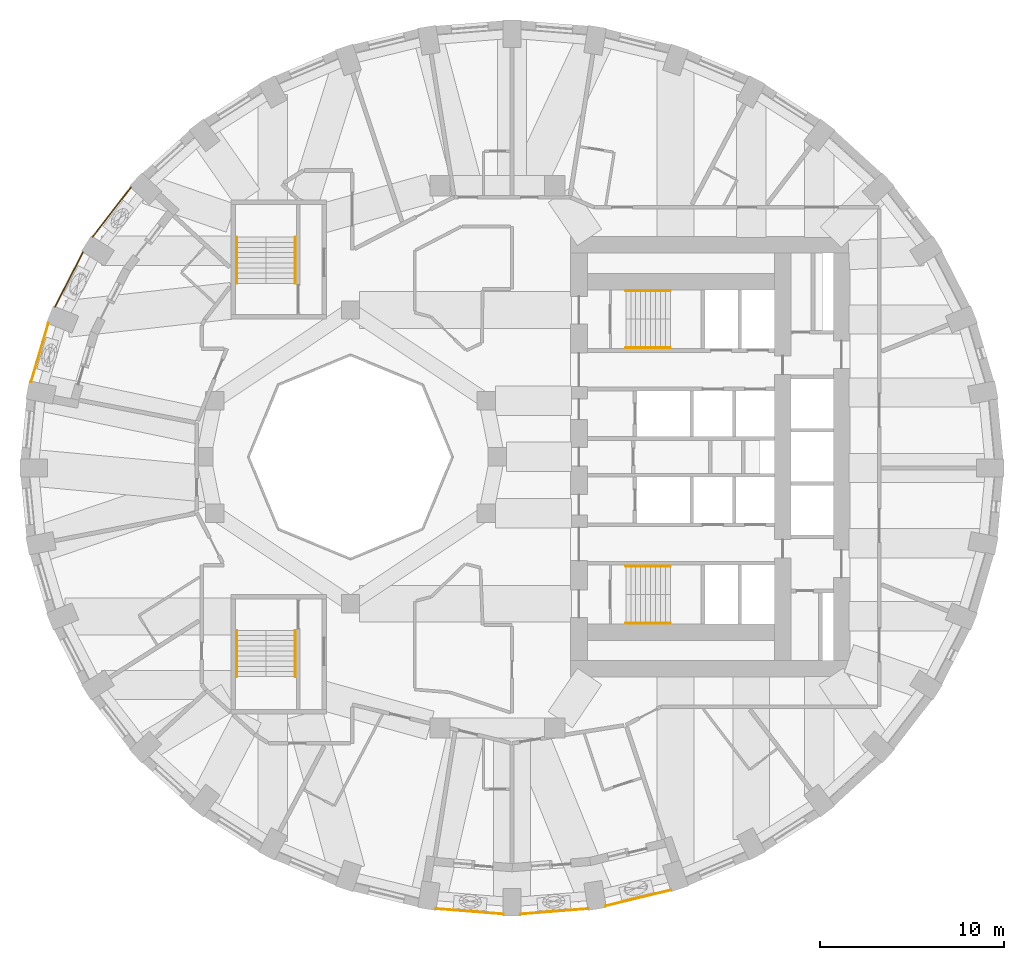
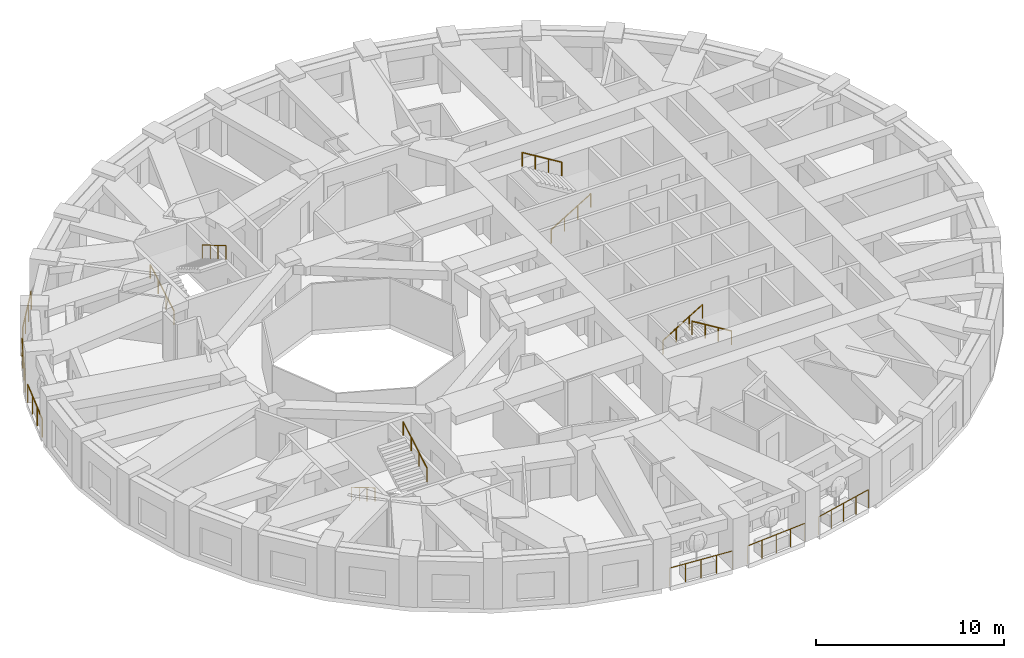
# One storey, part 11 of 13: 14 railings.
"""IFC4 building model written with IfcOpenShell, lengths in metres."""

from ifc_helpers import new_model, si_unit, direction, frame, origin, origin_2d, place, context, subcontext, project, spatial, circle, extrude, material, type_object, element, save


model = new_model("IFC4")

# Units and contexts
model_context = context("Model", 3, precision=1e-05, world=origin(), true_north=direction((0.0, 1.0)))
body_context = subcontext(model_context, "Body", "Model", "MODEL_VIEW")
ifc_project = project(units=[si_unit("LENGTHUNIT", "METRE"), si_unit("AREAUNIT", "SQUARE_METRE"), si_unit("VOLUMEUNIT", "CUBIC_METRE"), si_unit("PLANEANGLEUNIT", "RADIAN"), si_unit("MASSUNIT", "GRAM", prefix="KILO")], contexts=[model_context])

# Site, building, storey
site_placement = place(None, origin())
site = spatial("IfcSite", under=ifc_project, at=site_placement, CompositionType="ELEMENT")
building_placement = place(site_placement, origin())
building = spatial("IfcBuilding", under=site, at=building_placement, Name="Taillehof Tower", CompositionType="ELEMENT")
storey_placement = place(building_placement, frame((0.0, 0.0, 108.699951171875)))
storey = spatial("IfcBuildingStorey", under=building, at=storey_placement, Name="L30", CompositionType="ELEMENT", Elevation=108.699951171875)

# Railings
ifc_material_1 = material(Name="Stainless steel balustrade", Category="steel")
railing_type_1 = type_object("IfcRailingType", Name="Balcony guard 1200", PredefinedType="GUARDRAIL", material=ifc_material_1)
railing_1_placement = place(storey_placement, frame((-19.95703125, 14.687744140625, 0.0)))
element("IfcRailing", 1, at=railing_1_placement, inside=storey, type_object=railing_type_1, Name="Balcony guard L30 bay 15", PredefinedType="GUARDRAIL", context=body_context, shape_type="SweptSolid", body=[
    extrude(circle(Radius=0.02392578125, at=origin_2d()), frame((0.0, 0.0, 1.17578125), z_axis=(-0.6106578582, -0.791894551199, 0.0), x_axis=(0.791894551199, -0.6106578582, 0.0)), (0.0, 0.0, 1.0), 3.42431640625),
    extrude(circle(Radius=0.02099609375, at=origin_2d()), origin(), (0.0, 0.0, 1.0), 1.15185546875),
    extrude(circle(Radius=0.02099609375, at=origin_2d()), frame((-0.697021484375, -0.90380859375, 0.0)), (0.0, 0.0, 1.0), 1.15185546875),
    extrude(circle(Radius=0.02099609375, at=origin_2d()), frame((-1.39404296875, -1.807861328125, 0.0)), (0.0, 0.0, 1.0), 1.15185546875),
    extrude(circle(Radius=0.02099609375, at=origin_2d()), frame((-2.091064453125, -2.711669921875, 0.0)), (0.0, 0.0, 1.0), 1.15185546875),
])
railing_2_placement = place(storey_placement, frame((-22.562744140625, 11.16552734375, 0.0)))
element("IfcRailing", 2, at=railing_2_placement, inside=storey, type_object=railing_type_1, Name="Balcony guard L30 bay 16", PredefinedType="GUARDRAIL", context=body_context, shape_type="SweptSolid", body=[
    extrude(circle(Radius=0.02392578125, at=origin_2d()), frame((0.0, 0.0, 1.17578125), z_axis=(-0.456827973353, -0.88955505887, 0.0), x_axis=(0.88955505887, -0.456827973353, 0.0)), (0.0, 0.0, 1.0), 3.363037109375),
    extrude(circle(Radius=0.02099609375, at=origin_2d()), origin(), (0.0, 0.0, 1.0), 1.15185546875),
    extrude(circle(Radius=0.02099609375, at=origin_2d()), frame((-0.51220703125, -0.997314453125, 0.0)), (0.0, 0.0, 1.0), 1.15185546875),
    extrude(circle(Radius=0.02099609375, at=origin_2d()), frame((-1.024169921875, -1.994384765625, 0.0)), (0.0, 0.0, 1.0), 1.15185546875),
    extrude(circle(Radius=0.02099609375, at=origin_2d()), frame((-1.536376953125, -2.99169921875, 0.0)), (0.0, 0.0, 1.0), 1.15185546875),
])
railing_3_placement = place(storey_placement, frame((-24.455810546875, 7.2822265625, 0.0)))
element("IfcRailing", 3, at=railing_3_placement, inside=storey, type_object=railing_type_1, Name="Balcony guard L30 bay 17", PredefinedType="GUARDRAIL", context=body_context, shape_type="SweptSolid", body=[
    extrude(circle(Radius=0.02392578125, at=origin_2d()), frame((0.0, 0.0, 1.17578125), z_axis=(-0.283050764058, -0.95910492907, 0.0), x_axis=(0.95910492907, -0.283050764058, 0.0)), (0.0, 0.0, 1.0), 3.3173828125),
    extrude(circle(Radius=0.02099609375, at=origin_2d()), origin(), (0.0, 0.0, 1.0), 1.15185546875),
    extrude(circle(Radius=0.02099609375, at=origin_2d()), frame((-0.31298828125, -1.060546875, 0.0)), (0.0, 0.0, 1.0), 1.15185546875),
    extrude(circle(Radius=0.02099609375, at=origin_2d()), frame((-0.6259765625, -2.12109375, 0.0)), (0.0, 0.0, 1.0), 1.15185546875),
    extrude(circle(Radius=0.02099609375, at=origin_2d()), frame((-0.93896484375, -3.181640625, 0.0)), (0.0, 0.0, 1.0), 1.15185546875),
])
railing_4_placement = place(storey_placement, frame((-3.352783203125, -24.60986328125, 0.0)))
element("IfcRailing", 4, at=railing_4_placement, inside=storey, type_object=railing_type_1, Name="Balcony guard L30 bay 27", PredefinedType="GUARDRAIL", context=body_context, shape_type="SweptSolid", body=[
    extrude(circle(Radius=0.02392578125, at=origin_2d()), frame((0.0, 0.0, 1.17578125), z_axis=(0.996859582788, -0.079189470281, 0.0), x_axis=(0.079189470281, 0.996859582788, 0.0)), (0.0, 0.0, 1.0), 3.68408203125),
    extrude(circle(Radius=0.02099609375, at=origin_2d()), origin(), (0.0, 0.0, 1.0), 1.15185546875),
    extrude(circle(Radius=0.02099609375, at=origin_2d()), frame((0.918212890625, -0.072998046875, 0.0)), (0.0, 0.0, 1.0), 1.15185546875),
    extrude(circle(Radius=0.02099609375, at=origin_2d()), frame((1.83642578125, -0.14599609375, 0.0)), (0.0, 0.0, 1.0), 1.15185546875),
    extrude(circle(Radius=0.02099609375, at=origin_2d()), frame((2.75439453125, -0.21875, 0.0)), (0.0, 0.0, 1.0), 1.15185546875),
    extrude(circle(Radius=0.02099609375, at=origin_2d()), frame((3.672607421875, -0.291748046875, 0.0)), (0.0, 0.0, 1.0), 1.15185546875),
])
railing_5_placement = place(storey_placement, frame((1.280029296875, -24.901611328125, 0.0)))
element("IfcRailing", 5, at=railing_5_placement, inside=storey, type_object=railing_type_1, Name="Balcony guard L30 bay 28", PredefinedType="GUARDRAIL", context=body_context, shape_type="SweptSolid", body=[
    extrude(circle(Radius=0.02392578125, at=origin_2d()), frame((0.0, 0.0, 1.17578125), z_axis=(0.996859998308, 0.07918423943, 0.0), x_axis=(-0.07918423943, 0.996859998308, 0.0)), (0.0, 0.0, 1.0), 3.684326171875),
    extrude(circle(Radius=0.02099609375, at=origin_2d()), origin(), (0.0, 0.0, 1.0), 1.15185546875),
    extrude(circle(Radius=0.02099609375, at=origin_2d()), frame((0.918212890625, 0.072998046875, 0.0)), (0.0, 0.0, 1.0), 1.15185546875),
    extrude(circle(Radius=0.02099609375, at=origin_2d()), frame((1.83642578125, 0.14599609375, 0.0)), (0.0, 0.0, 1.0), 1.15185546875),
    extrude(circle(Radius=0.02099609375, at=origin_2d()), frame((2.754638671875, 0.21875, 0.0)), (0.0, 0.0, 1.0), 1.15185546875),
    extrude(circle(Radius=0.02099609375, at=origin_2d()), frame((3.6728515625, 0.291748046875, 0.0)), (0.0, 0.0, 1.0), 1.15185546875),
])
railing_6_placement = place(storey_placement, frame((5.90087890625, -24.4580078125, 0.0)))
element("IfcRailing", 6, at=railing_6_placement, inside=storey, type_object=railing_type_1, Name="Balcony guard L30 bay 29", PredefinedType="GUARDRAIL", context=body_context, shape_type="SweptSolid", body=[
    extrude(circle(Radius=0.02392578125, at=origin_2d()), frame((0.0, 0.0, 1.17578125), z_axis=(0.971645249883, 0.236443457047, 0.0), x_axis=(-0.236443457047, 0.971645249883, 0.0)), (0.0, 0.0, 1.0), 3.661376953125),
    extrude(circle(Radius=0.02099609375, at=origin_2d()), origin(), (0.0, 0.0, 1.0), 1.15185546875),
    extrude(circle(Radius=0.02099609375, at=origin_2d()), frame((0.889404296875, 0.21630859375, 0.0)), (0.0, 0.0, 1.0), 1.15185546875),
    extrude(circle(Radius=0.02099609375, at=origin_2d()), frame((1.77880859375, 0.432861328125, 0.0)), (0.0, 0.0, 1.0), 1.15185546875),
    extrude(circle(Radius=0.02099609375, at=origin_2d()), frame((2.668212890625, 0.6494140625, 0.0)), (0.0, 0.0, 1.0), 1.15185546875),
    extrude(circle(Radius=0.02099609375, at=origin_2d()), frame((3.5576171875, 0.86572265625, 0.0)), (0.0, 0.0, 1.0), 1.15185546875),
])
ifc_material_2 = material(Name="Stainless steel", Category="steel")
railing_type_2 = type_object("IfcRailingType", Name="Stair handrail 900", PredefinedType="HANDRAIL", material=ifc_material_2)
railing_7_placement = place(storey_placement, frame((7.0, 5.949951171875, 0.1650390625)))
element("IfcRailing", 7, at=railing_7_placement, inside=storey, type_object=railing_type_2, Name="Stair S1 handrail", PredefinedType="HANDRAIL", context=body_context, shape_type="SweptSolid", body=[
    extrude(circle(Radius=0.02392578125, at=origin_2d()), frame((0.0, 0.0, 0.8759765625), z_axis=(0.853258522278, 0.0, 0.521488153423), x_axis=(0.0, 1.0, 0.0)), (0.0, 0.0, 1.0), 2.847900390625),
    extrude(circle(Radius=0.02099609375, at=origin_2d()), origin(), (0.0, 0.0, 1.0), 0.851806640625),
    extrude(circle(Radius=0.02099609375, at=origin_2d()), frame((0.81005859375, 0.0, 0.4951171875)), (0.0, 0.0, 1.0), 0.851806640625),
    extrude(circle(Radius=0.02099609375, at=origin_2d()), frame((1.619873046875, 0.0, 0.989990234375)), (0.0, 0.0, 1.0), 0.851806640625),
    extrude(circle(Radius=0.02099609375, at=origin_2d()), frame((2.429931640625, 0.0, 1.485107421875)), (0.0, 0.0, 1.0), 0.851806640625),
])
railing_8_placement = place(storey_placement, frame((9.429931640625, 9.050048828125, 1.81494140625)))
element("IfcRailing", 8, at=railing_8_placement, inside=storey, type_object=railing_type_2, Name="Stair S1 handrail", PredefinedType="HANDRAIL", context=body_context, shape_type="SweptSolid", body=[
    extrude(circle(Radius=0.02392578125, at=origin_2d()), frame((0.0, 0.0, 0.8759765625), z_axis=(-0.853258522278, 0.0, 0.521488153423), x_axis=(0.0, -1.0, 0.0)), (0.0, 0.0, 1.0), 2.847900390625),
    extrude(circle(Radius=0.02099609375, at=origin_2d()), origin(), (0.0, 0.0, 1.0), 0.851806640625),
    extrude(circle(Radius=0.02099609375, at=origin_2d()), frame((-0.81005859375, 0.0, 0.4951171875)), (0.0, 0.0, 1.0), 0.851806640625),
    extrude(circle(Radius=0.02099609375, at=origin_2d()), frame((-1.619873046875, 0.0, 0.989990234375)), (0.0, 0.0, 1.0), 0.851806640625),
    extrude(circle(Radius=0.02099609375, at=origin_2d()), frame((-2.429931640625, 0.0, 1.485107421875)), (0.0, 0.0, 1.0), 0.851806640625),
])
railing_9_placement = place(storey_placement, frame((7.0, -5.949951171875, 0.1650390625)))
element("IfcRailing", 9, at=railing_9_placement, inside=storey, type_object=railing_type_2, Name="Stair S2 handrail", PredefinedType="HANDRAIL", context=body_context, shape_type="SweptSolid", body=[
    extrude(circle(Radius=0.02392578125, at=origin_2d()), frame((0.0, 0.0, 0.8759765625), z_axis=(0.853258522278, 0.0, 0.521488153423), x_axis=(0.0, 1.0, 0.0)), (0.0, 0.0, 1.0), 2.847900390625),
    extrude(circle(Radius=0.02099609375, at=origin_2d()), origin(), (0.0, 0.0, 1.0), 0.851806640625),
    extrude(circle(Radius=0.02099609375, at=origin_2d()), frame((0.81005859375, 0.0, 0.4951171875)), (0.0, 0.0, 1.0), 0.851806640625),
    extrude(circle(Radius=0.02099609375, at=origin_2d()), frame((1.619873046875, 0.0, 0.989990234375)), (0.0, 0.0, 1.0), 0.851806640625),
    extrude(circle(Radius=0.02099609375, at=origin_2d()), frame((2.429931640625, 0.0, 1.485107421875)), (0.0, 0.0, 1.0), 0.851806640625),
])
railing_10_placement = place(storey_placement, frame((9.429931640625, -9.050048828125, 1.81494140625)))
element("IfcRailing", 10, at=railing_10_placement, inside=storey, type_object=railing_type_2, Name="Stair S2 handrail", PredefinedType="HANDRAIL", context=body_context, shape_type="SweptSolid", body=[
    extrude(circle(Radius=0.02392578125, at=origin_2d()), frame((0.0, 0.0, 0.8759765625), z_axis=(-0.853258522278, 0.0, 0.521488153423), x_axis=(0.0, -1.0, 0.0)), (0.0, 0.0, 1.0), 2.847900390625),
    extrude(circle(Radius=0.02099609375, at=origin_2d()), origin(), (0.0, 0.0, 1.0), 0.851806640625),
    extrude(circle(Radius=0.02099609375, at=origin_2d()), frame((-0.81005859375, 0.0, 0.4951171875)), (0.0, 0.0, 1.0), 0.851806640625),
    extrude(circle(Radius=0.02099609375, at=origin_2d()), frame((-1.619873046875, 0.0, 0.989990234375)), (0.0, 0.0, 1.0), 0.851806640625),
    extrude(circle(Radius=0.02099609375, at=origin_2d()), frame((-2.429931640625, 0.0, 1.485107421875)), (0.0, 0.0, 1.0), 0.851806640625),
])
railing_11_placement = place(storey_placement, frame((-14.199951171875, 9.449951171875, 0.1650390625)))
element("IfcRailing", 11, at=railing_11_placement, inside=storey, type_object=railing_type_2, Name="Stair S3 handrail", PredefinedType="HANDRAIL", context=body_context, shape_type="SweptSolid", body=[
    extrude(circle(Radius=0.02392578125, at=origin_2d()), frame((0.0, 0.0, 0.8759765625), z_axis=(0.0, 0.86152411907, 0.507716645641), x_axis=(-1.0, 0.0, 0.0)), (0.0, 0.0, 1.0), 2.925048828125),
    extrude(circle(Radius=0.02099609375, at=origin_2d()), origin(), (0.0, 0.0, 1.0), 0.851806640625),
    extrude(circle(Radius=0.02099609375, at=origin_2d()), frame((0.0, 0.840087890625, 0.4951171875)), (0.0, 0.0, 1.0), 0.851806640625),
    extrude(circle(Radius=0.02099609375, at=origin_2d()), frame((0.0, 1.679931640625, 0.989990234375)), (0.0, 0.0, 1.0), 0.851806640625),
    extrude(circle(Radius=0.02099609375, at=origin_2d()), frame((0.0, 2.52001953125, 1.485107421875)), (0.0, 0.0, 1.0), 0.851806640625),
])
for number, where, name in (
    (12, (-11.0, 11.969970703125, 1.81494140625), "Stair S3 handrail"),
    (13, (-14.199951171875, -9.449951171875, 0.1650390625), "Stair S4 handrail"),
):
    element("IfcRailing", number, at=place(storey_placement, frame(where)), inside=storey, type_object=railing_type_2, Name=name, PredefinedType="HANDRAIL", context=body_context, shape_type="SweptSolid", body=[
        extrude(circle(Radius=0.02392578125, at=origin_2d()), frame((0.0, 0.0, 0.8759765625), z_axis=(0.0, -0.86152411907, 0.507716645641), x_axis=(1.0, 0.0, 0.0)), (0.0, 0.0, 1.0), 2.925048828125),
        extrude(circle(Radius=0.02099609375, at=origin_2d()), origin(), (0.0, 0.0, 1.0), 0.851806640625),
        extrude(circle(Radius=0.02099609375, at=origin_2d()), frame((0.0, -0.840087890625, 0.4951171875)), (0.0, 0.0, 1.0), 0.851806640625),
        extrude(circle(Radius=0.02099609375, at=origin_2d()), frame((0.0, -1.679931640625, 0.989990234375)), (0.0, 0.0, 1.0), 0.851806640625),
        extrude(circle(Radius=0.02099609375, at=origin_2d()), frame((0.0, -2.52001953125, 1.485107421875)), (0.0, 0.0, 1.0), 0.851806640625),
    ])
railing_12_placement = place(storey_placement, frame((-11.0, -11.969970703125, 1.81494140625)))
element("IfcRailing", 14, at=railing_12_placement, inside=storey, type_object=railing_type_2, Name="Stair S4 handrail", PredefinedType="HANDRAIL", context=body_context, shape_type="SweptSolid", body=[
    extrude(circle(Radius=0.02392578125, at=origin_2d()), frame((0.0, 0.0, 0.8759765625), z_axis=(0.0, 0.86152411907, 0.507716645641), x_axis=(-1.0, 0.0, 0.0)), (0.0, 0.0, 1.0), 2.925048828125),
    extrude(circle(Radius=0.02099609375, at=origin_2d()), origin(), (0.0, 0.0, 1.0), 0.851806640625),
    extrude(circle(Radius=0.02099609375, at=origin_2d()), frame((0.0, 0.840087890625, 0.4951171875)), (0.0, 0.0, 1.0), 0.851806640625),
    extrude(circle(Radius=0.02099609375, at=origin_2d()), frame((0.0, 1.679931640625, 0.989990234375)), (0.0, 0.0, 1.0), 0.851806640625),
    extrude(circle(Radius=0.02099609375, at=origin_2d()), frame((0.0, 2.52001953125, 1.485107421875)), (0.0, 0.0, 1.0), 0.851806640625),
])

save(model, "model.ifc")
